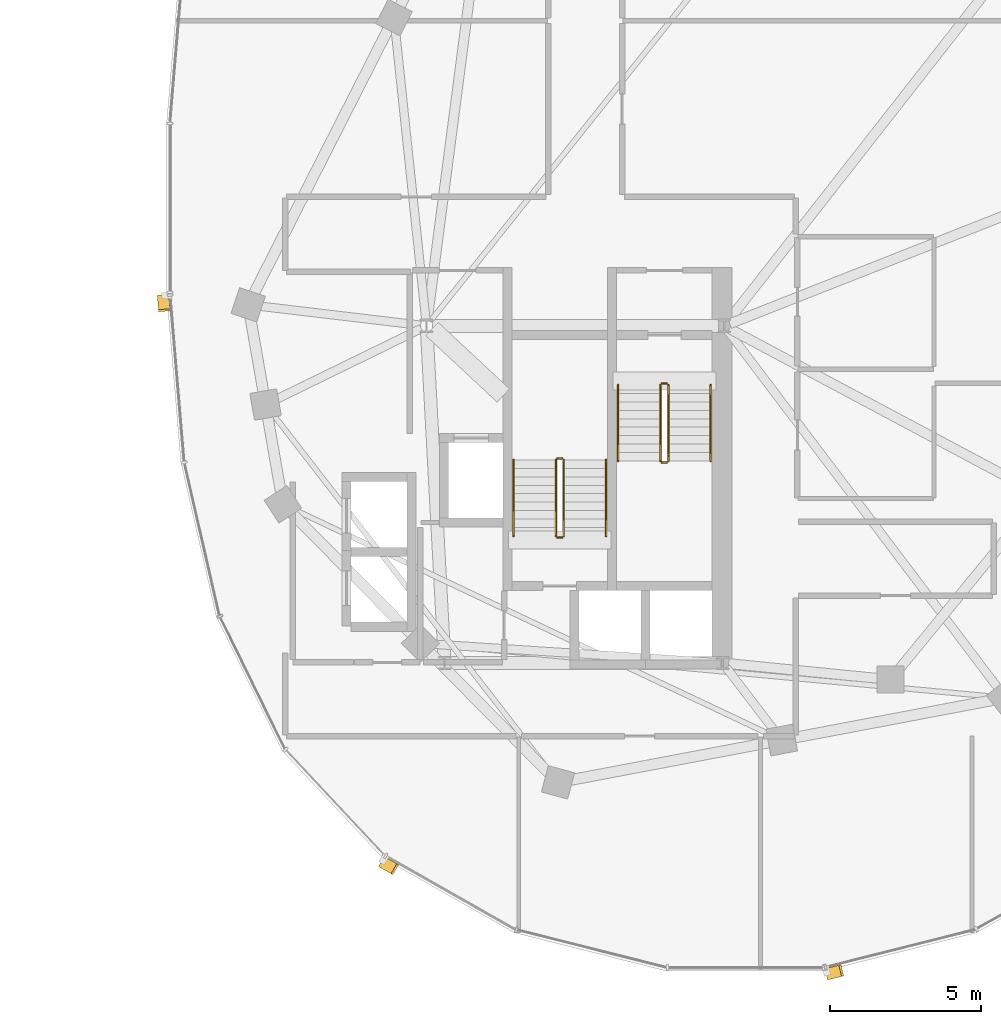
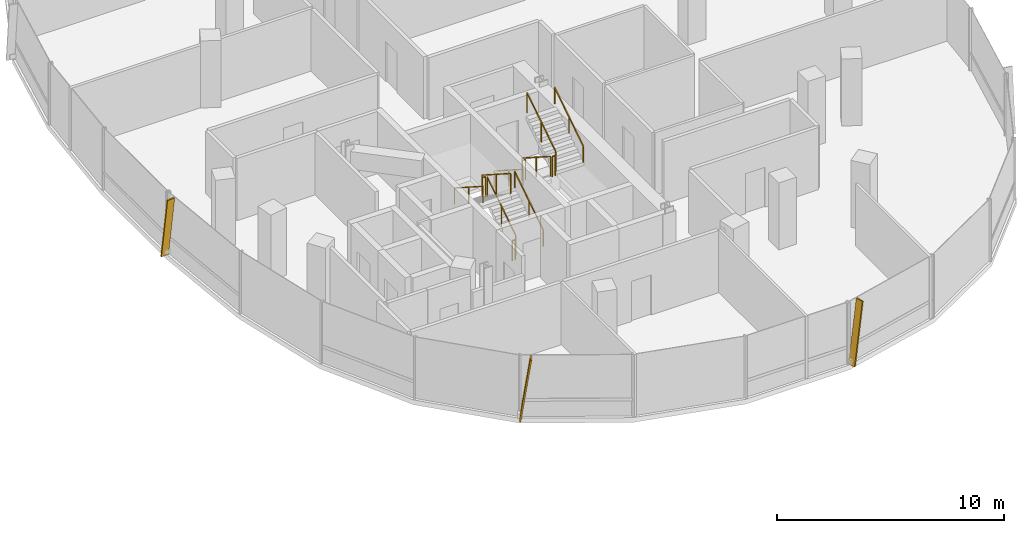
# One storey, part 24 of 25: 12 railings, 3 shading devices.
"""IFC4 building model written with IfcOpenShell, lengths in metres."""

from ifc_helpers import new_model, si_unit, direction, frame, origin, origin_2d, place, context, subcontext, project, spatial, rectangle, extrude, material, material_profile, profile_set, type_object, element, save


model = new_model("IFC4")

# Units and contexts
model_context = context("Model", 3, precision=1e-05, world=origin(), true_north=direction((0.0, 1.0)))
body_context = subcontext(model_context, "Body", "Model", "MODEL_VIEW")
ifc_project = project(units=[si_unit("LENGTHUNIT", "METRE"), si_unit("AREAUNIT", "SQUARE_METRE"), si_unit("VOLUMEUNIT", "CUBIC_METRE"), si_unit("PLANEANGLEUNIT", "RADIAN"), si_unit("MASSUNIT", "GRAM", prefix="KILO"), si_unit("THERMODYNAMICTEMPERATUREUNIT", "KELVIN"), si_unit("POWERUNIT", "WATT")], contexts=[model_context])

# Site, building, storey
site_placement = place(None, origin())
site = spatial("IfcSite", under=ifc_project, at=site_placement, CompositionType="ELEMENT")
building_placement = place(site_placement, origin())
building = spatial("IfcBuilding", under=site, at=building_placement, Name="Cundina Bronze Exchange", CompositionType="ELEMENT")
storey_placement = place(building_placement, frame((0.0, 0.0, 220.60009765625)))
storey = spatial("IfcBuildingStorey", under=building, at=storey_placement, Name="L58", CompositionType="ELEMENT", Elevation=220.60009765625)

# Railings
ifc_material_1 = material(Name="Steel ASTM A36 Painted", Category="steel")
railing_type_1 = type_object("IfcRailingType", Name="RLG-HND-900", PredefinedType="HANDRAIL", material=ifc_material_1)
railing_1_placement = place(storey_placement, frame((27.7900390625, -5.85009765625, 0.179931640625)))
element("IfcRailing", 1, at=railing_1_placement, inside=storey, type_object=railing_type_1, Name="L58 ST-E1 stair handrail 1", PredefinedType="HANDRAIL", context=body_context, shape_type="SweptSolid", body=[
    extrude(rectangle(XDim=0.048095703125, YDim=0.048095703125, at=origin_2d()), frame((0.0, 0.0, 0.8759765625), z_axis=(0.0, -0.841199657755, 0.540724639528), x_axis=(1.0, 0.0, 0.0)), (0.0, 0.0, 1.0), 2.995849609375),
    extrude(rectangle(XDim=0.0419921875, YDim=0.0419921875, at=origin_2d()), origin(), (0.0, 0.0, 1.0), 0.851806640625),
    extrude(rectangle(XDim=0.0419921875, YDim=0.0419921875, at=origin_2d()), frame((0.0, -1.260009765625, 0.81005859375)), (0.0, 0.0, 1.0), 0.851806640625),
    extrude(rectangle(XDim=0.0419921875, YDim=0.0419921875, at=origin_2d()), frame((0.0, -2.52001953125, 1.619873046875)), (0.0, 0.0, 1.0), 0.851806640625),
])
for number, where, name in (
    (2, (30.85009765625, -8.3701171875, 1.97998046875), "L58 ST-E1 stair handrail 2"),
    (3, (27.389892578125, -10.85009765625, 0.179931640625), "L58 ST-E2 stair handrail 1"),
):
    element("IfcRailing", number, at=place(storey_placement, frame(where)), inside=storey, type_object=railing_type_1, Name=name, PredefinedType="HANDRAIL", context=body_context, shape_type="SweptSolid", body=[
        extrude(rectangle(XDim=0.048095703125, YDim=0.048095703125, at=origin_2d()), frame((0.0, 0.0, 0.8759765625), z_axis=(0.0, 0.841199657755, 0.540724639528), x_axis=(-1.0, 0.0, 0.0)), (0.0, 0.0, 1.0), 2.995849609375),
        extrude(rectangle(XDim=0.0419921875, YDim=0.0419921875, at=origin_2d()), origin(), (0.0, 0.0, 1.0), 0.851806640625),
        extrude(rectangle(XDim=0.0419921875, YDim=0.0419921875, at=origin_2d()), frame((0.0, 1.260009765625, 0.81005859375)), (0.0, 0.0, 1.0), 0.851806640625),
        extrude(rectangle(XDim=0.0419921875, YDim=0.0419921875, at=origin_2d()), frame((0.0, 2.52001953125, 1.619873046875)), (0.0, 0.0, 1.0), 0.851806640625),
    ])
railing_2_placement = place(storey_placement, frame((24.330078125, -8.330078125, 1.97998046875)))
element("IfcRailing", 4, at=railing_2_placement, inside=storey, type_object=railing_type_1, Name="L58 ST-E2 stair handrail 2", PredefinedType="HANDRAIL", context=body_context, shape_type="SweptSolid", body=[
    extrude(rectangle(XDim=0.048095703125, YDim=0.048095703125, at=origin_2d()), frame((0.0, 0.0, 0.8759765625), z_axis=(0.0, -0.841199657755, 0.540724639528), x_axis=(1.0, 0.0, 0.0)), (0.0, 0.0, 1.0), 2.995849609375),
    extrude(rectangle(XDim=0.0419921875, YDim=0.0419921875, at=origin_2d()), origin(), (0.0, 0.0, 1.0), 0.851806640625),
    extrude(rectangle(XDim=0.0419921875, YDim=0.0419921875, at=origin_2d()), frame((0.0, -1.260009765625, 0.81005859375)), (0.0, 0.0, 1.0), 0.851806640625),
    extrude(rectangle(XDim=0.0419921875, YDim=0.0419921875, at=origin_2d()), frame((0.0, -2.52001953125, 1.619873046875)), (0.0, 0.0, 1.0), 0.851806640625),
])
railing_type_2 = type_object("IfcRailingType", Name="RLG-STG-1100", PredefinedType="GUARDRAIL", material=ifc_material_1)
railing_3_placement = place(storey_placement, frame((29.18994140625, -5.85009765625, 0.179931640625)))
element("IfcRailing", 5, at=railing_3_placement, inside=storey, type_object=railing_type_2, Name="L58 ST-E1 stair guard 1", PredefinedType="GUARDRAIL", context=body_context, shape_type="SweptSolid", body=[
    extrude(rectangle(XDim=0.048095703125, YDim=0.048095703125, at=origin_2d()), frame((0.0, 0.0, 1.076171875), z_axis=(0.0, -0.841199657755, 0.540724639528), x_axis=(1.0, 0.0, 0.0)), (0.0, 0.0, 1.0), 2.995849609375),
    extrude(rectangle(XDim=0.0419921875, YDim=0.0419921875, at=origin_2d()), origin(), (0.0, 0.0, 1.0), 1.052001953125),
    extrude(rectangle(XDim=0.0419921875, YDim=0.0419921875, at=origin_2d()), frame((0.0, -1.260009765625, 0.81005859375)), (0.0, 0.0, 1.0), 1.052001953125),
    extrude(rectangle(XDim=0.0419921875, YDim=0.0419921875, at=origin_2d()), frame((0.0, -2.52001953125, 1.619873046875)), (0.0, 0.0, 1.0), 1.052001953125),
])
railing_4_placement = place(storey_placement, frame((29.239990234375, -8.419921875, 1.7998046875)))
element("IfcRailing", 6, at=railing_4_placement, inside=storey, type_object=railing_type_2, Name="L58 ST-E1 stair guard 2", PredefinedType="GUARDRAIL", context=body_context, shape_type="SweptSolid", body=[
    extrude(rectangle(XDim=0.048095703125, YDim=0.048095703125, at=origin_2d()), frame((0.0, 0.0, 1.076171875), z_axis=(1.0, 0.0, 0.0), x_axis=(0.0, 1.0, 0.0)), (0.0, 0.0, 1.0), 0.159912109375),
    extrude(rectangle(XDim=0.0419921875, YDim=0.0419921875, at=origin_2d()), origin(), (0.0, 0.0, 1.0), 1.052001953125),
    extrude(rectangle(XDim=0.0419921875, YDim=0.0419921875, at=origin_2d()), frame((0.159912109375, 0.0, 0.0)), (0.0, 0.0, 1.0), 1.052001953125),
])
railing_5_placement = place(storey_placement, frame((29.449951171875, -8.3701171875, 1.97998046875)))
element("IfcRailing", 7, at=railing_5_placement, inside=storey, type_object=railing_type_2, Name="L58 ST-E1 stair guard 3", PredefinedType="GUARDRAIL", context=body_context, shape_type="SweptSolid", body=[
    extrude(rectangle(XDim=0.048095703125, YDim=0.048095703125, at=origin_2d()), frame((0.0, 0.0, 1.076171875), z_axis=(0.0, 0.841199657755, 0.540724639528), x_axis=(-1.0, 0.0, 0.0)), (0.0, 0.0, 1.0), 2.995849609375),
    extrude(rectangle(XDim=0.0419921875, YDim=0.0419921875, at=origin_2d()), origin(), (0.0, 0.0, 1.0), 1.052001953125),
    extrude(rectangle(XDim=0.0419921875, YDim=0.0419921875, at=origin_2d()), frame((0.0, 1.260009765625, 0.81005859375)), (0.0, 0.0, 1.0), 1.052001953125),
    extrude(rectangle(XDim=0.0419921875, YDim=0.0419921875, at=origin_2d()), frame((0.0, 2.52001953125, 1.619873046875)), (0.0, 0.0, 1.0), 1.052001953125),
])
railing_6_placement = place(storey_placement, frame((29.239990234375, -5.800048828125, 0.0)))
element("IfcRailing", 8, at=railing_6_placement, inside=storey, type_object=railing_type_2, Name="L58 ST-E1 stair guard 4", PredefinedType="GUARDRAIL", context=body_context, shape_type="SweptSolid", body=[
    extrude(rectangle(XDim=0.048095703125, YDim=0.048095703125, at=origin_2d()), frame((0.0, 0.0, 1.076171875), z_axis=(1.0, 0.0, 0.0), x_axis=(0.0, 1.0, 0.0)), (0.0, 0.0, 1.0), 0.159912109375),
    extrude(rectangle(XDim=0.0419921875, YDim=0.0419921875, at=origin_2d()), origin(), (0.0, 0.0, 1.0), 1.052001953125),
    extrude(rectangle(XDim=0.0419921875, YDim=0.0419921875, at=origin_2d()), frame((0.159912109375, 0.0, 0.0)), (0.0, 0.0, 1.0), 1.052001953125),
])
railing_7_placement = place(storey_placement, frame((25.989990234375, -10.85009765625, 0.179931640625)))
element("IfcRailing", 9, at=railing_7_placement, inside=storey, type_object=railing_type_2, Name="L58 ST-E2 stair guard 1", PredefinedType="GUARDRAIL", context=body_context, shape_type="SweptSolid", body=[
    extrude(rectangle(XDim=0.048095703125, YDim=0.048095703125, at=origin_2d()), frame((0.0, 0.0, 1.076171875), z_axis=(0.0, 0.841199657755, 0.540724639528), x_axis=(-1.0, 0.0, 0.0)), (0.0, 0.0, 1.0), 2.995849609375),
    extrude(rectangle(XDim=0.0419921875, YDim=0.0419921875, at=origin_2d()), origin(), (0.0, 0.0, 1.0), 1.052001953125),
    extrude(rectangle(XDim=0.0419921875, YDim=0.0419921875, at=origin_2d()), frame((0.0, 1.260009765625, 0.81005859375)), (0.0, 0.0, 1.0), 1.052001953125),
    extrude(rectangle(XDim=0.0419921875, YDim=0.0419921875, at=origin_2d()), frame((0.0, 2.52001953125, 1.619873046875)), (0.0, 0.0, 1.0), 1.052001953125),
])
railing_8_placement = place(storey_placement, frame((25.93994140625, -8.280029296875, 1.7998046875)))
element("IfcRailing", 10, at=railing_8_placement, inside=storey, type_object=railing_type_2, Name="L58 ST-E2 stair guard 2", PredefinedType="GUARDRAIL", context=body_context, shape_type="SweptSolid", body=[
    extrude(rectangle(XDim=0.048095703125, YDim=0.048095703125, at=origin_2d()), frame((0.0, 0.0, 1.076171875), z_axis=(-1.0, 0.0, 0.0), x_axis=(0.0, -1.0, 0.0)), (0.0, 0.0, 1.0), 0.159912109375),
    extrude(rectangle(XDim=0.0419921875, YDim=0.0419921875, at=origin_2d()), origin(), (0.0, 0.0, 1.0), 1.052001953125),
    extrude(rectangle(XDim=0.0419921875, YDim=0.0419921875, at=origin_2d()), frame((-0.159912109375, 0.0, 0.0)), (0.0, 0.0, 1.0), 1.052001953125),
])
railing_9_placement = place(storey_placement, frame((25.72998046875, -8.330078125, 1.97998046875)))
element("IfcRailing", 11, at=railing_9_placement, inside=storey, type_object=railing_type_2, Name="L58 ST-E2 stair guard 3", PredefinedType="GUARDRAIL", context=body_context, shape_type="SweptSolid", body=[
    extrude(rectangle(XDim=0.048095703125, YDim=0.048095703125, at=origin_2d()), frame((0.0, 0.0, 1.076171875), z_axis=(0.0, -0.841199657755, 0.540724639528), x_axis=(1.0, 0.0, 0.0)), (0.0, 0.0, 1.0), 2.995849609375),
    extrude(rectangle(XDim=0.0419921875, YDim=0.0419921875, at=origin_2d()), origin(), (0.0, 0.0, 1.0), 1.052001953125),
    extrude(rectangle(XDim=0.0419921875, YDim=0.0419921875, at=origin_2d()), frame((0.0, -1.260009765625, 0.81005859375)), (0.0, 0.0, 1.0), 1.052001953125),
    extrude(rectangle(XDim=0.0419921875, YDim=0.0419921875, at=origin_2d()), frame((0.0, -2.52001953125, 1.619873046875)), (0.0, 0.0, 1.0), 1.052001953125),
])
railing_10_placement = place(storey_placement, frame((25.93994140625, -10.89990234375, 0.0)))
element("IfcRailing", 12, at=railing_10_placement, inside=storey, type_object=railing_type_2, Name="L58 ST-E2 stair guard 4", PredefinedType="GUARDRAIL", context=body_context, shape_type="SweptSolid", body=[
    extrude(rectangle(XDim=0.048095703125, YDim=0.048095703125, at=origin_2d()), frame((0.0, 0.0, 1.076171875), z_axis=(-1.0, 0.0, 0.0), x_axis=(0.0, -1.0, 0.0)), (0.0, 0.0, 1.0), 0.159912109375),
    extrude(rectangle(XDim=0.0419921875, YDim=0.0419921875, at=origin_2d()), origin(), (0.0, 0.0, 1.0), 1.052001953125),
    extrude(rectangle(XDim=0.0419921875, YDim=0.0419921875, at=origin_2d()), frame((-0.159912109375, 0.0, 0.0)), (0.0, 0.0, 1.0), 1.052001953125),
])

# Shading devices
ifc_material_2 = material(Name="Anodised Bronze Aluminium 6063-T6", Category="aluminium")
ifc_material_profile = material_profile(ifc_material_2, rectangle(XDim=0.070068359375, YDim=0.3798828125, at=origin_2d()), Name="FIN70X380", Category="aluminium")
ifc_profile_set = profile_set([ifc_material_profile], Name="Anodised Bronze Aluminium 6063-T6")
shading_device_type = type_object("IfcShadingDeviceType", Name="SHD-FIN-BRZ380", PredefinedType="USERDEFINED", material=ifc_profile_set)
for number, where, z_axis, x_axis, name in (
    (13, (12.735595703125, -2.90283203125, 0.02001953125), (0.012007425696, -0.143430164259, 0.989587595774), (-0.082555708425, 0.986138004904, 0.143931894628), "L58 Diagonal Bronze Solar Fin 1"),
    (14, (19.984375, -21.635498046875, 0.02001953125), (0.125198584402, -0.071092295587, 0.989581325598), (-0.86052566695, 0.48863767404, 0.143974997927), "L58 Diagonal Bronze Solar Fin 5"),
    (15, (34.705810546875, -25.344482421875, 0.02001953125), (0.139622006633, 0.035143452115, 0.989581039146), (-0.959648570899, -0.241547621411, 0.143976966779), "L58 Diagonal Bronze Solar Fin 1"),
):
    element("IfcShadingDevice", number, at=place(storey_placement, frame(where, z_axis=z_axis, x_axis=x_axis)), inside=storey, type_object=shading_device_type, Name=name, ObjectType="FIN", PredefinedType="USERDEFINED", context=body_context, shape_type="SweptSolid", body=[
        extrude(rectangle(XDim=0.070068359375, YDim=0.3798828125, at=origin_2d()), origin(), (0.0, 0.0, 1.0), 3.33447265625),
    ])

save(model, "model.ifc")
